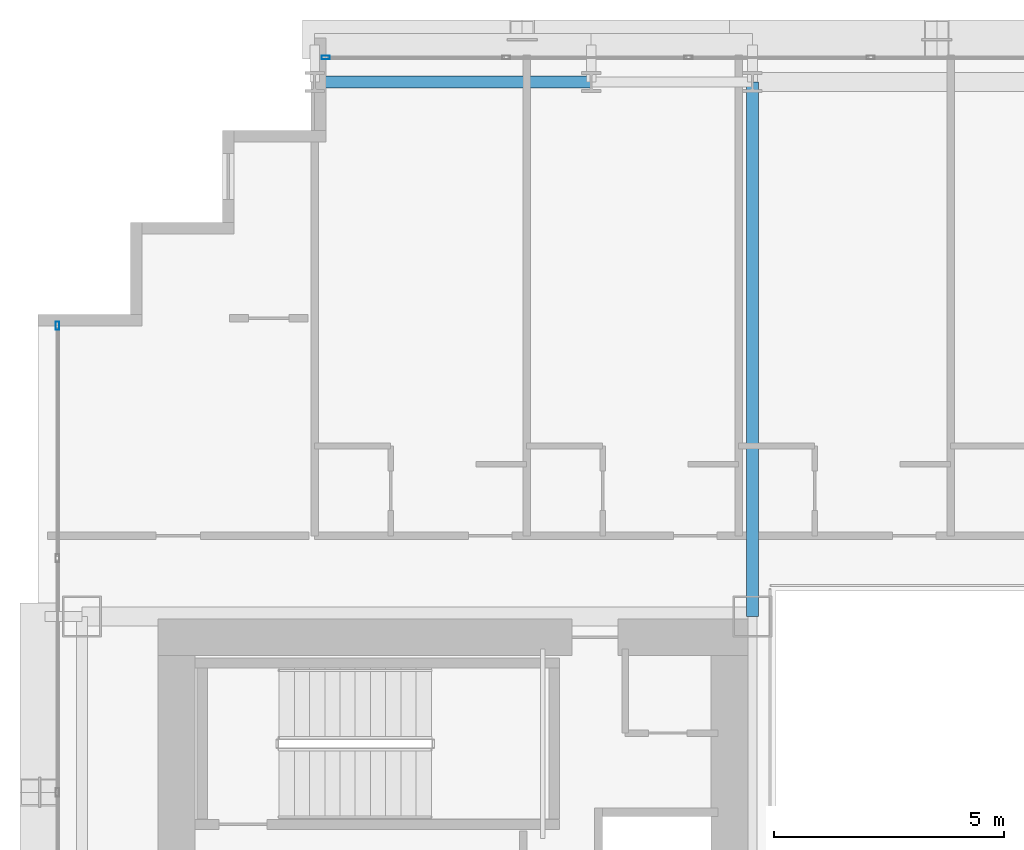
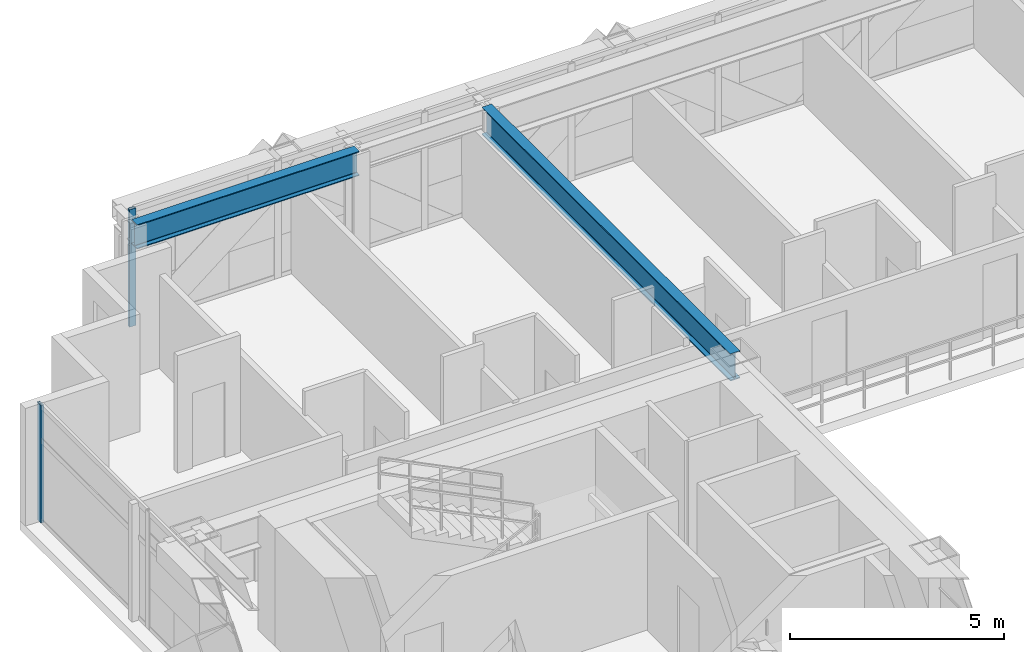
# One storey, part 17 of 36: 2 beams, 2 members, 2 elements without a shape of their own.
"""IFC4 building model written with IfcOpenShell, lengths in metres."""

from ifc_helpers import new_model, si_unit, direction, frame, origin, origin_2d, place, context, subcontext, project, spatial, hollow_rectangle, i_section, extrude, source, transform, mapped, material, layer, layer_set, material_profile, profile_set, type_object, element, aggregate, save


model = new_model("IFC4")

# Units and contexts
model_context = context("Model", 3, precision=1e-05, world=origin(), true_north=direction((0.0, 1.0)))
body_context = subcontext(model_context, "Body", "Model", "MODEL_VIEW")
ifc_project = project(units=[si_unit("LENGTHUNIT", "METRE"), si_unit("AREAUNIT", "SQUARE_METRE"), si_unit("VOLUMEUNIT", "CUBIC_METRE"), si_unit("PLANEANGLEUNIT", "RADIAN"), si_unit("MASSUNIT", "GRAM", prefix="KILO")], contexts=[model_context])

# Site, building, storey
site_placement = place(None, origin())
site = spatial("IfcSite", under=ifc_project, at=site_placement, CompositionType="ELEMENT")
building_placement = place(site_placement, origin())
building = spatial("IfcBuilding", under=site, at=building_placement, Name="Ocotamira Hotel", CompositionType="ELEMENT")
storey_placement = place(building_placement, frame((0.0, 0.0, 42.0)))
storey = spatial("IfcBuildingStorey", under=building, at=storey_placement, Name="L09", CompositionType="ELEMENT", Elevation=42.0)

# Beams
ifc_material_1 = material(Name="Steel ASTM A992 Grade 50", Category="steel")
ifc_material_profile_1 = material_profile(ifc_material_1, i_section(OverallWidth=0.256103515625, OverallDepth=0.693115234375, WebThickness=0.014404296875, FlangeThickness=0.023681640625, FilletRadius=0.01611328125, at=origin_2d()), Name="W27X114")
ifc_profile_set_1 = profile_set([ifc_material_profile_1], Name="Steel ASTM A992 Grade 50")
beam_type_1 = type_object("IfcBeamType", Name="BM-PRIM-W27X114", PredefinedType="BEAM", material=ifc_profile_set_1)
shared_shape_1 = source(origin(), body_context, "Body", "SweptSolid", [
    extrude(i_section(OverallWidth=0.256103515625, OverallDepth=0.693115234375, WebThickness=0.014404296875, FlangeThickness=0.023681640625, FilletRadius=0.01611328125, at=origin_2d()), origin(), (0.0, 0.0, 1.0), 6.0),
])
beam_1_placement = place(storey_placement, frame((14.0, 49.050048828125, 3.00341796875), z_axis=(1.0, 0.0, 0.0), x_axis=(0.0, 1.0, 0.0)))
element("IfcBeam", 1, at=beam_1_placement, inside=storey, type_object=beam_type_1, Name="L09 Girder Y49.05 X14-20", PredefinedType="BEAM", context=body_context, shape_type="MappedRepresentation", body=[
    mapped(shared_shape_1, transform((0.0, 0.0, 0.0), scale=1.0)),
])
ifc_material_profile_2 = material_profile(ifc_material_1, i_section(OverallWidth=0.26611328125, OverallDepth=0.779052734375, WebThickness=0.0166015625, FlangeThickness=0.030029296875, FilletRadius=0.01806640625, at=origin_2d()), Name="W30X148")
ifc_profile_set_2 = profile_set([ifc_material_profile_2], Name="Steel ASTM A992 Grade 50")
beam_type_2 = type_object("IfcBeamType", Name="BM-GIRD-W30X148", PredefinedType="BEAM", material=ifc_profile_set_2)
shared_shape_2 = source(origin(), body_context, "Body", "SweptSolid", [
    extrude(i_section(OverallWidth=0.26611328125, OverallDepth=0.779052734375, WebThickness=0.0166015625, FlangeThickness=0.030029296875, FilletRadius=0.01806640625, at=origin_2d()), origin(), (0.0, 0.0, 1.0), 11.60009765625),
])
beam_2_placement = place(storey_placement, frame((23.5, 37.449951171875, 2.96044921875), z_axis=(0.0, 1.0, 0.0), x_axis=(-1.0, 0.0, 0.0)))
element("IfcBeam", 2, at=beam_2_placement, inside=storey, type_object=beam_type_2, Name="L09 Beam X23.5 Y37.45-49.05", PredefinedType="BEAM", context=body_context, shape_type="MappedRepresentation", body=[
    mapped(shared_shape_2, transform((0.0, 0.0, 0.0), scale=1.0)),
])

# Curtain wall, member
ifc_material_2 = material(Name="Anodised pale-metal aluminium and solar glass", Category="aluminium")
ifc_layer = layer(ifc_material_2, 0.179931640625)
ifc_layer_set = layer_set([ifc_layer], Name="Anodised pale-metal aluminium and solar glass")
curtain_wall_type = type_object("IfcCurtainWallType", Name="CW-SYS2-Z1", PredefinedType="NOTDEFINED", material=ifc_layer_set)
curtain_wall_1_placement = place(storey_placement, origin())
curtain_wall_1 = element("IfcCurtainWall", 3, at=curtain_wall_1_placement, inside=storey, type_object=curtain_wall_type, Name="L09 Curtain Wall CW-2 CW-L09-N", PredefinedType="NOTDEFINED")
ifc_material_3 = material(Name="Anodised pale-metal aluminium 6063-T6", Category="aluminium")
ifc_material_profile_3 = material_profile(ifc_material_3, hollow_rectangle(XDim=0.080078125, YDim=0.179931640625, WallThickness=0.006103515625, at=origin_2d()), Name="HSS180X80X6")
ifc_profile_set_3 = profile_set([ifc_material_profile_3], Name="Anodised pale-metal aluminium 6063-T6")
member_type = type_object("IfcMemberType", Name="CWM-180X75", PredefinedType="MULLION", material=ifc_profile_set_3)
shared_shape_3 = source(origin(), body_context, "Body", "SweptSolid", [
    extrude(hollow_rectangle(XDim=0.080078125, YDim=0.179931640625, WallThickness=0.006103515625, at=origin_2d()), origin(), (0.0, 0.0, 1.0), 3.35009765625),
])
member_1_placement = place(storey_placement, frame((14.239990234375, 49.580078125, 0.0), z_axis=(0.0, 0.0, 1.0), x_axis=(0.0, 1.0, 0.0)))
member_1 = element("IfcMember", 4, at=member_1_placement, type_object=member_type, Name="CW-2 mullion 1", PredefinedType="MULLION", context=body_context, shape_type="MappedRepresentation", body=[
    mapped(shared_shape_3, transform((0.0, 0.0, 0.0), scale=1.0)),
])
aggregate(curtain_wall_1, [member_1])

curtain_wall_2_placement = place(storey_placement, origin())
curtain_wall_2 = element("IfcCurtainWall", 5, at=curtain_wall_2_placement, inside=storey, type_object=curtain_wall_type, Name="L09 Curtain Wall CW-2 CW-L09-W", PredefinedType="NOTDEFINED")
member_2_placement = place(storey_placement, frame((8.419921875, 43.760009765625, 0.0), z_axis=(0.0, 0.0, 1.0), x_axis=(-1.0, 0.0, 0.0)))
member_2 = element("IfcMember", 6, at=member_2_placement, type_object=member_type, Name="CW-2 mullion 8", PredefinedType="MULLION", context=body_context, shape_type="MappedRepresentation", body=[
    mapped(shared_shape_3, transform((0.0, 0.0, 0.0), scale=1.0)),
])
aggregate(curtain_wall_2, [member_2])

save(model, "model.ifc")
